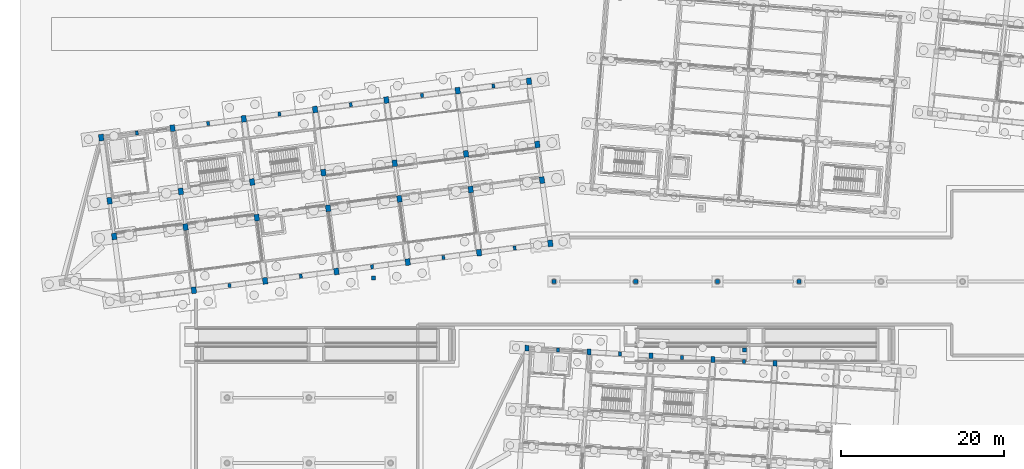
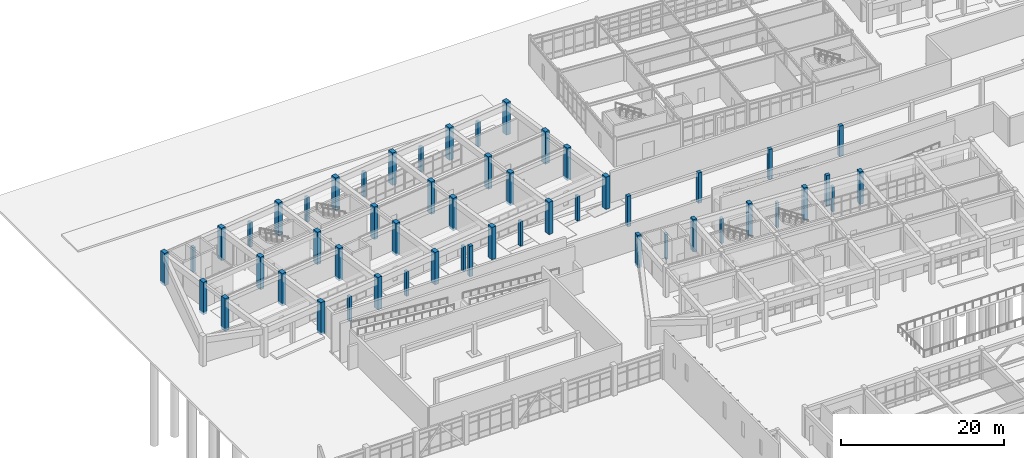
# One storey, part 8 of 154: 53 columns.
"""IFC4 building model written with IfcOpenShell, lengths in metres."""

import ifcopenshell
import ifcopenshell.guid

model = None  # the IFC model being written
_history = None  # IfcOwnerHistory: only IFC2X3 demands one
_inside = {}  # id of a spatial element -> (the spatial element, [elements in it])
_under = {}  # id of a project, library or spatial element -> (it, [spatial elements below it])
_declared = {}  # id of a project -> (the project, [libraries it declares])
_typed = {}  # id of a type object -> (the type object, [elements of that type])
_made_of = {}  # id of a material, layer set ... -> (it, [elements and type objects made of it])


def new_model(schema):
    """Start an empty IFC model of exactly this schema.

    Asked for "IFC4X3", IfcOpenShell would pick the latest addendum, in which some entities
    have other attributes; the version numbers below select the first issue.
    IFC2X3 requires an IfcOwnerHistory on every rooted entity: one is made here for all.
    """
    global model, _history
    if schema == "IFC4X3":
        model = ifcopenshell.file(schema_version=(4, 3, 0, 0))
    else:
        model = ifcopenshell.file(schema=schema)
    _inside.clear()
    _under.clear()
    _declared.clear()
    _typed.clear()
    _made_of.clear()
    _history = None
    if model.schema == "IFC2X3":
        org = make("IfcOrganization", Name="unknown")
        user = make(
            "IfcPersonAndOrganization",
            ThePerson=make("IfcPerson", FamilyName="unknown"),
            TheOrganization=org,
        )
        app = make(
            "IfcApplication",
            ApplicationDeveloper=org,
            Version="unknown",
            ApplicationFullName="unknown",
            ApplicationIdentifier="unknown",
        )
        _history = make(
            "IfcOwnerHistory",
            OwningUser=user,
            OwningApplication=app,
            ChangeAction="ADDED",
            CreationDate=0,
        )
    return model


def make(cls, **values):
    """One entity of the class cls with the attributes given. An attribute that is None is left unset."""
    return model.create_entity(
        cls, **{name: value for name, value in values.items() if value is not None}
    )


def rooted(cls, **values):
    """An entity with a GlobalId (a new one), such as an element, a storey or a relation."""
    return make(cls, GlobalId=ifcopenshell.guid.new(), OwnerHistory=_history, **values)


def si_unit(unit_type, name, prefix=None):
    """IfcSIUnit, for example si_unit("LENGTHUNIT", "METRE", prefix="MILLI")."""
    return make("IfcSIUnit", UnitType=unit_type, Prefix=prefix, Name=name)


def assignment(units):
    """IfcUnitAssignment: the units of a project."""
    return None if units is None else make("IfcUnitAssignment", Units=units)


def point(xyz):
    """IfcCartesianPoint."""
    return None if xyz is None else make("IfcCartesianPoint", Coordinates=xyz)


def direction(xyz):
    """IfcDirection."""
    return None if xyz is None else make("IfcDirection", DirectionRatios=xyz)


def frame(location, z_axis=None, x_axis=None):
    """IfcAxis2Placement3D, a coordinate frame: its origin and axes. An axis left out is left unset."""
    return make(
        "IfcAxis2Placement3D",
        Location=point(location),
        Axis=direction(z_axis),
        RefDirection=direction(x_axis),
    )


def frame_2d(location, x_axis=None):
    """IfcAxis2Placement2D, a coordinate frame in the plane: its origin and x axis."""
    return make(
        "IfcAxis2Placement2D", Location=point(location), RefDirection=direction(x_axis)
    )


def origin():
    """The frame at (0, 0, 0) with its axes left unset."""
    return frame((0.0, 0.0, 0.0))


def origin_2d():
    """The frame at (0, 0) in the plane with its x axis left unset."""
    return frame_2d((0.0, 0.0))


def place(relative_to, where):
    """IfcLocalPlacement: puts the frame where relative to a parent placement (None: the world)."""
    return make(
        "IfcLocalPlacement", PlacementRelTo=relative_to, RelativePlacement=where
    )


def context(
    kind, dimensions, precision=None, world=None, true_north=None, identifier=None
):
    """IfcGeometricRepresentationContext, for example the 3D "Model" context."""
    return make(
        "IfcGeometricRepresentationContext",
        ContextIdentifier=identifier,
        ContextType=kind,
        CoordinateSpaceDimension=dimensions,
        Precision=precision,
        WorldCoordinateSystem=world,
        TrueNorth=true_north,
    )


def subcontext(parent, identifier, kind, view, scale=None):
    """IfcGeometricRepresentationSubContext, for example "Body" below "Model"."""
    return make(
        "IfcGeometricRepresentationSubContext",
        ContextIdentifier=identifier,
        ContextType=kind,
        ParentContext=parent,
        TargetScale=scale,
        TargetView=view,
    )


def project(units=None, contexts=None):
    """IfcProject with its units and contexts."""
    return rooted(
        "IfcProject",
        Name="project",
        RepresentationContexts=contexts,
        UnitsInContext=assignment(units),
    )


def spatial(cls, under=None, at=None, **own):
    """A site, building, storey or space (cls), placed at a placement, below another one or the project."""
    s = rooted(cls, ObjectPlacement=at, **own)
    if under is not None:
        _under.setdefault(under.id(), (under, []))[1].append(s)
    return s


def profile(cls, at=None, kind="AREA", **sizes):
    """A parametric profile (cls). Its sizes go by their IFC names, for example OverallWidth=200.0."""
    return make(cls, ProfileType=kind, Position=at, **sizes)


def rectangle(**sizes):
    """IfcRectangleProfileDef."""
    return profile("IfcRectangleProfileDef", **sizes)


def extrude(swept, where, along, depth):
    """IfcExtrudedAreaSolid: the profile swept, set in the frame where, extruded along a direction by depth."""
    return make(
        "IfcExtrudedAreaSolid",
        SweptArea=swept,
        Position=where,
        ExtrudedDirection=direction(along),
        Depth=depth,
    )


def shape(context_of_items, identifier, shape_type, items):
    """IfcShapeRepresentation: the items that make up one representation, for example the "Body"."""
    return make(
        "IfcShapeRepresentation",
        ContextOfItems=context_of_items,
        RepresentationIdentifier=identifier,
        RepresentationType=shape_type,
        Items=items,
    )


def material(Name=None, Category=None):
    """IfcMaterial."""
    return make("IfcMaterial", Name=Name, Category=Category)


def material_profile(
    of_material, cross_section, Name=None, Category=None, Priority=None
):
    """IfcMaterialProfile: a cross section and its material."""
    return make(
        "IfcMaterialProfile",
        Name=Name,
        Material=of_material,
        Profile=cross_section,
        Priority=Priority,
        Category=Category,
    )


def profile_set(profiles, Name=None, composite=None):
    """IfcMaterialProfileSet."""
    return make(
        "IfcMaterialProfileSet",
        Name=Name,
        MaterialProfiles=profiles,
        CompositeProfile=composite,
    )


def made_of(thing, what):
    """Note that an element or type object is made of a material, layer set ...; save() writes the relation."""
    if what is not None:
        _made_of.setdefault(what.id(), (what, []))[1].append(thing)
    return thing


def type_object(cls, material=None, **own):
    """A type object (cls), such as IfcWallType, which elements share."""
    return made_of(rooted(cls, **own), material)


def element(
    cls,
    number,
    at=None,
    inside=None,
    cuts=None,
    type_object=None,
    material=None,
    context=None,
    identifier="Body",
    shape_type=None,
    held_by="IfcProductDefinitionShape",
    body=None,
    shapes=None,
    **own,
):
    """One element of the class cls, such as IfcWall. Its Tag is "e" and its number.

    at: its placement. inside: the storey or other place that contains it. cuts: it is an
    opening in that element (IfcRelVoidsElement). A single representation is given by context,
    identifier, shape_type and body (its items); several are given by shapes. held_by: the class
    of the entity that holds the representations. save() writes the other relations.
    """
    e = rooted(cls, Tag="e%d" % number, ObjectPlacement=at, **own)
    if body is not None:
        shapes = [shape(context, identifier, shape_type, body)]
    if shapes is not None:
        e.Representation = make(held_by, Representations=shapes)
    if inside is not None:
        _inside.setdefault(inside.id(), (inside, []))[1].append(e)
    if cuts is not None:
        rooted(
            "IfcRelVoidsElement", RelatingBuildingElement=cuts, RelatedOpeningElement=e
        )
    if type_object is not None:
        _typed.setdefault(type_object.id(), (type_object, []))[1].append(e)
    return made_of(e, material)


def aggregate(whole, parts):
    """IfcRelAggregates: a whole, such as a stair, and the parts it consists of."""
    return rooted("IfcRelAggregates", RelatingObject=whole, RelatedObjects=parts)


def save(model, path):
    """Write the relations noted so far, then the file.

    IfcRelAggregates (storeys below a building ...), IfcRelContainedInSpatialStructure (elements
    in a storey), IfcRelDefinesByType, IfcRelAssociatesMaterial and IfcRelDeclares: one each for
    every whole, place, type object, material and project.
    """
    for whole, parts in _under.values():
        aggregate(whole, parts)
    for where, things in _inside.values():
        rooted(
            "IfcRelContainedInSpatialStructure",
            RelatedElements=things,
            RelatingStructure=where,
        )
    for kind, things in _typed.values():
        rooted("IfcRelDefinesByType", RelatedObjects=things, RelatingType=kind)
    for what, things in _made_of.values():
        rooted("IfcRelAssociatesMaterial", RelatedObjects=things, RelatingMaterial=what)
    for by, libraries in _declared.values():
        rooted("IfcRelDeclares", RelatingContext=by, RelatedDefinitions=libraries)
    model.write(path)


model = new_model("IFC4")

# Units and contexts
model_context = context("Model", 3, precision=1e-05, world=origin(), true_north=direction((0.0, 1.0)))
body_context = subcontext(model_context, "Body", "Model", "MODEL_VIEW")
ifc_project = project(units=[si_unit("LENGTHUNIT", "METRE"), si_unit("AREAUNIT", "SQUARE_METRE"), si_unit("VOLUMEUNIT", "CUBIC_METRE"), si_unit("PLANEANGLEUNIT", "RADIAN"), si_unit("MASSUNIT", "GRAM", prefix="KILO")], contexts=[model_context])

# Site, building, storey
site_placement = place(None, origin())
site = spatial("IfcSite", under=ifc_project, at=site_placement, CompositionType="ELEMENT")
building_placement = place(site_placement, origin())
building = spatial("IfcBuilding", under=site, at=building_placement, Name="Kestramere Prow Commons", CompositionType="ELEMENT")
storey_placement = place(building_placement, origin())
storey = spatial("IfcBuildingStorey", under=building, at=storey_placement, Name="L00", CompositionType="ELEMENT", Elevation=0.0)

# Columns
ifc_material = material(Name="Precast concrete C40/50", Category="concrete")
ifc_material_profile_1 = material_profile(ifc_material, rectangle(XDim=0.60009765625, YDim=0.800048828125, at=origin_2d()), Name="PC-COL 600x800")
ifc_profile_set_1 = profile_set([ifc_material_profile_1], Name="Precast concrete C40/50")
column_type_1 = type_object("IfcColumnType", Name="C-A1 PC-COL 600x800", PredefinedType="COLUMN", material=ifc_profile_set_1)
for number, where, z_axis, x_axis, name in (
    (1, (18.906494140625, 80.8818359375, -0.35009765625), (0.0, 0.0, 1.0), (0.991444861374, 0.13052619222, 0.0), "Block A L00 Column 2-2"),
    (2, (18.332275390625, 85.244140625, -0.35009765625), (0.0, 0.0, 1.0), (0.991444861374, 0.13052619222, 0.0), "Block A L00 Column 2-3"),
    (3, (27.63134765625, 82.030517578125, -0.35009765625), (0.0, 0.0, 1.0), (0.991444861374, 0.13052619222, 0.0), "Block A L00 Column 3-2"),
    (4, (27.05712890625, 86.392822265625, -0.35009765625), (0.0, 0.0, 1.0), (0.991444861374, 0.13052619222, 0.0), "Block A L00 Column 3-3"),
    (5, (36.35595703125, 83.17919921875, -0.35009765625), (0.0, 0.0, 1.0), (0.991444861374, 0.13052619222, 0.0), "Block A L00 Column 4-2"),
    (6, (35.78173828125, 87.54150390625, -0.35009765625), (0.0, 0.0, 1.0), (0.991444861374, 0.13052619222, 0.0), "Block A L00 Column 4-3"),
    (7, (45.080810546875, 84.327880859375, -0.35009765625), (0.0, 0.0, 1.0), (0.991444861374, 0.13052619222, 0.0), "Block A L00 Column 5-2"),
    (8, (44.50634765625, 88.690185546875, -0.35009765625), (0.0, 0.0, 1.0), (0.991444861374, 0.13052619222, 0.0), "Block A L00 Column 5-3"),
    (9, (53.805419921875, 85.476318359375, -0.35009765625), (0.0, 0.0, 1.0), (0.991444861374, 0.13052619222, 0.0), "Block A L00 Column 6-2"),
    (10, (53.231201171875, 89.8388671875, -0.35009765625), (0.0, 0.0, 1.0), (0.991444861374, 0.13052619222, 0.0), "Block A L00 Column 6-3"),
):
    element("IfcColumn", number, at=place(storey_placement, frame(where, z_axis=z_axis, x_axis=x_axis)), inside=storey, type_object=column_type_1, Name=name, PredefinedType="COLUMN", context=body_context, shape_type="SweptSolid", body=[
        extrude(rectangle(XDim=0.60009765625, YDim=0.800048828125, at=origin_2d()), origin(), (0.0, 0.0, 1.0), 4.85009765625),
    ])
ifc_material_profile_2 = material_profile(ifc_material, rectangle(XDim=0.60009765625, YDim=0.800048828125, at=origin_2d()), Name="PC-COL 600x800")
ifc_profile_set_2 = profile_set([ifc_material_profile_2], Name="Precast concrete C40/50")
column_type_2 = type_object("IfcColumnType", Name="C-A1 PC-COL 600x800 (EX)", PredefinedType="COLUMN", material=ifc_profile_set_2)
for number, where, z_axis, x_axis, name in (
    (11, (10.181884765625, 79.733154296875, -0.35009765625), (0.0, 0.0, 1.0), (0.991444861374, 0.13052619222, 0.0), "Block A L00 Column 1-2"),
    (12, (9.607666015625, 84.095703125, -0.35009765625), (0.0, 0.0, 1.0), (0.991444861374, 0.13052619222, 0.0), "Block A L00 Column 1-3"),
    (13, (8.58935546875, 91.828857421875, -0.35009765625), (0.0, 0.0, 1.0), (0.991444861374, 0.13052619222, 0.0), "Block A L00 Column 1-4"),
    (14, (19.9248046875, 73.148681640625, -0.35009765625), (0.0, 0.0, 1.0), (0.991444861374, 0.13052619222, 0.0), "Block A L00 Column 2-1"),
    (15, (17.314208984375, 92.9775390625, -0.35009765625), (0.0, 0.0, 1.0), (0.991444861374, 0.13052619222, 0.0), "Block A L00 Column 2-4"),
    (16, (28.6494140625, 74.29736328125, -0.35009765625), (0.0, 0.0, 1.0), (0.991444861374, 0.13052619222, 0.0), "Block A L00 Column 3-1"),
    (17, (26.038818359375, 94.126220703125, -0.35009765625), (0.0, 0.0, 1.0), (0.991444861374, 0.13052619222, 0.0), "Block A L00 Column 3-4"),
    (18, (37.3740234375, 75.44580078125, -0.35009765625), (0.0, 0.0, 1.0), (0.991444861374, 0.13052619222, 0.0), "Block A L00 Column 4-1"),
    (19, (34.763671875, 95.27490234375, -0.35009765625), (0.0, 0.0, 1.0), (0.991444861374, 0.13052619222, 0.0), "Block A L00 Column 4-4"),
    (20, (46.098876953125, 76.594482421875, -0.35009765625), (0.0, 0.0, 1.0), (0.991444861374, 0.13052619222, 0.0), "Block A L00 Column 5-1"),
    (21, (43.48828125, 96.42333984375, -0.35009765625), (0.0, 0.0, 1.0), (0.991444861374, 0.13052619222, 0.0), "Block A L00 Column 5-4"),
    (22, (54.823486328125, 77.7431640625, -0.35009765625), (0.0, 0.0, 1.0), (0.991444861374, 0.13052619222, 0.0), "Block A L00 Column 6-1"),
    (23, (52.213134765625, 97.572021484375, -0.35009765625), (0.0, 0.0, 1.0), (0.991444861374, 0.13052619222, 0.0), "Block A L00 Column 6-4"),
    (24, (63.54833984375, 78.891845703125, -0.35009765625), (0.0, 0.0, 1.0), (0.991444861374, 0.13052619222, 0.0), "Block A L00 Column 7-1"),
    (25, (62.5302734375, 86.625, -0.35009765625), (0.0, 0.0, 1.0), (0.991444861374, 0.13052619222, 0.0), "Block A L00 Column 7-2"),
    (26, (61.955810546875, 90.9873046875, -0.35009765625), (0.0, 0.0, 1.0), (0.991444861374, 0.13052619222, 0.0), "Block A L00 Column 7-3"),
    (27, (60.937744140625, 98.720703125, -0.35009765625), (0.0, 0.0, 1.0), (0.991444861374, 0.13052619222, 0.0), "Block A L00 Column 7-4"),
):
    element("IfcColumn", number, at=place(storey_placement, frame(where, z_axis=z_axis, x_axis=x_axis)), inside=storey, type_object=column_type_2, Name=name, PredefinedType="COLUMN", context=body_context, shape_type="SweptSolid", body=[
        extrude(rectangle(XDim=0.60009765625, YDim=0.800048828125, at=origin_2d()), origin(), (0.0, 0.0, 1.0), 4.85009765625),
    ])
ifc_material_profile_3 = material_profile(ifc_material, rectangle(XDim=0.5, YDim=0.699951171875, at=origin_2d()), Name="PC-COL 500x700")
ifc_profile_set_3 = profile_set([ifc_material_profile_3], Name="Precast concrete C40/50")
column_type_3 = type_object("IfcColumnType", Name="C-C1 PC-COL 500x700 (EX)", PredefinedType="COLUMN", material=ifc_profile_set_3)
for number, where, z_axis, x_axis, name in (
    (28, (60.696533203125, 66.0634765625, -0.35009765625), (0.0, 0.0, 1.0), (0.998134798422, -0.061048539535, 0.0), "Block C L00 Column 1-4"),
    (29, (68.282470703125, 65.599365234375, -0.35009765625), (0.0, 0.0, 1.0), (0.998134798422, -0.061048539535, 0.0), "Block C L00 Column 2-4"),
    (30, (75.8681640625, 65.135498046875, -0.35009765625), (0.0, 0.0, 1.0), (0.998134798422, -0.061048539535, 0.0), "Block C L00 Column 3-4"),
    (31, (83.4541015625, 64.671630859375, -0.35009765625), (0.0, 0.0, 1.0), (0.998134798422, -0.061048539535, 0.0), "Block C L00 Column 4-4"),
    (32, (91.039794921875, 64.20751953125, -0.35009765625), (0.0, 0.0, 1.0), (0.998134798422, -0.061048539535, 0.0), "Block C L00 Column 5-4"),
):
    element("IfcColumn", number, at=place(storey_placement, frame(where, z_axis=z_axis, x_axis=x_axis)), inside=storey, type_object=column_type_3, Name=name, PredefinedType="COLUMN", context=body_context, shape_type="SweptSolid", body=[
        extrude(rectangle(XDim=0.5, YDim=0.699951171875, at=origin_2d()), origin(), (0.0, 0.0, 1.0), 4.85009765625),
    ])
ifc_material_profile_4 = material_profile(ifc_material, rectangle(XDim=0.5, YDim=0.5, at=origin_2d()), Name="PC-COL 500x500")
ifc_profile_set_4 = profile_set([ifc_material_profile_4], Name="Precast concrete C40/50")
column_type_4 = type_object("IfcColumnType", Name="C-CRT-01 PC-COL 500x500", PredefinedType="COLUMN", material=ifc_profile_set_4)
for number, where, z_axis, x_axis, name in (
    (33, (64.0, 74.199951171875, -0.35009765625), (0.0, 0.0, 1.0), (1.0, 0.0, 0.0), "Courtyard Support Column 64-74"),
    (34, (74.0, 74.199951171875, -0.35009765625), (0.0, 0.0, 1.0), (1.0, 0.0, 0.0), "Courtyard Support Column 74-74"),
    (35, (84.0, 74.199951171875, -0.35009765625), (0.0, 0.0, 1.0), (1.0, 0.0, 0.0), "Courtyard Support Column 84-74"),
    (36, (94.0, 74.199951171875, -0.35009765625), (0.0, 0.0, 1.0), (1.0, 0.0, 0.0), "Courtyard Support Column 94-74"),
):
    element("IfcColumn", number, at=place(storey_placement, frame(where, z_axis=z_axis, x_axis=x_axis)), inside=storey, type_object=column_type_4, Name=name, PredefinedType="COLUMN", context=body_context, shape_type="SweptSolid", body=[
        extrude(rectangle(XDim=0.5, YDim=0.5, at=origin_2d()), origin(), (0.0, 0.0, 1.0), 4.550048828125),
    ])
ifc_material_profile_5 = material_profile(ifc_material, rectangle(XDim=0.5, YDim=0.5, at=origin_2d()), Name="PC-COL 500x500")
ifc_profile_set_5 = profile_set([ifc_material_profile_5], Name="Precast concrete C40/50")
column_type_5 = type_object("IfcColumnType", Name="C-CRT-01 PC-COL 500x500 (EX)", PredefinedType="COLUMN", material=ifc_profile_set_5)
for number, where, z_axis, x_axis, name in (
    (37, (41.919189453125, 74.632080078125, -0.35009765625), (0.0, 0.0, 1.0), (1.0, 0.0, 0.0), "Courtyard Bridge Support Column A"),
    (38, (87.33251953125, 65.8369140625, -0.35009765625), (0.0, 0.0, 1.0), (1.0, 0.0, 0.0), "Courtyard Bridge Support Column C"),
):
    element("IfcColumn", number, at=place(storey_placement, frame(where, z_axis=z_axis, x_axis=x_axis)), inside=storey, type_object=column_type_5, Name=name, PredefinedType="COLUMN", context=body_context, shape_type="SweptSolid", body=[
        extrude(rectangle(XDim=0.5, YDim=0.5, at=origin_2d()), origin(), (0.0, 0.0, 1.0), 4.550048828125),
    ])
ifc_material_profile_6 = material_profile(ifc_material, rectangle(XDim=0.35009765625, YDim=0.5, at=origin_2d()), Name="PC-PIL 350x500")
ifc_profile_set_6 = profile_set([ifc_material_profile_6], Name="Precast concrete C40/50")
column_type_6 = type_object("IfcColumnType", Name="PIL-01 PC-PIL 350x500", PredefinedType="PILASTER", material=ifc_profile_set_6)
for number, where, z_axis, x_axis, name in (
    (39, (12.951904296875, 92.4033203125, -0.35009765625), (0.0, 0.0, 1.0), (0.991444861374, 0.13052619222, 0.0), "Block A L00 Colonnade Pilaster N1"),
    (40, (24.287109375, 73.722900390625, -0.35009765625), (0.0, 0.0, 1.0), (0.991444861374, 0.13052619222, 0.0), "Block A L00 Colonnade Pilaster S2"),
    (41, (21.676513671875, 93.5517578125, -0.35009765625), (0.0, 0.0, 1.0), (0.991444861374, 0.13052619222, 0.0), "Block A L00 Colonnade Pilaster N2"),
    (42, (33.01171875, 74.87158203125, -0.35009765625), (0.0, 0.0, 1.0), (0.991444861374, 0.13052619222, 0.0), "Block A L00 Colonnade Pilaster S3"),
    (43, (30.4013671875, 94.700439453125, -0.35009765625), (0.0, 0.0, 1.0), (0.991444861374, 0.13052619222, 0.0), "Block A L00 Colonnade Pilaster N3"),
    (44, (41.736572265625, 76.020263671875, -0.35009765625), (0.0, 0.0, 1.0), (0.991444861374, 0.13052619222, 0.0), "Block A L00 Colonnade Pilaster S4"),
    (45, (39.1259765625, 95.84912109375, -0.35009765625), (0.0, 0.0, 1.0), (0.991444861374, 0.13052619222, 0.0), "Block A L00 Colonnade Pilaster N4"),
    (46, (50.461181640625, 77.1689453125, -0.35009765625), (0.0, 0.0, 1.0), (0.991444861374, 0.13052619222, 0.0), "Block A L00 Colonnade Pilaster S5"),
    (47, (47.8505859375, 96.997802734375, -0.35009765625), (0.0, 0.0, 1.0), (0.991444861374, 0.13052619222, 0.0), "Block A L00 Colonnade Pilaster N5"),
    (48, (59.18603515625, 78.3173828125, -0.35009765625), (0.0, 0.0, 1.0), (0.991444861374, 0.13052619222, 0.0), "Block A L00 Colonnade Pilaster S6"),
    (49, (56.575439453125, 98.146484375, -0.35009765625), (0.0, 0.0, 1.0), (0.991444861374, 0.13052619222, 0.0), "Block A L00 Colonnade Pilaster N6"),
    (50, (64.489501953125, 65.83154296875, -0.35009765625), (0.0, 0.0, 1.0), (0.998134798422, -0.061048539535, 0.0), "Block C L00 Colonnade Pilaster N1"),
    (51, (72.0751953125, 65.367431640625, -0.35009765625), (0.0, 0.0, 1.0), (0.998134798422, -0.061048539535, 0.0), "Block C L00 Colonnade Pilaster N2"),
    (52, (79.6611328125, 64.903564453125, -0.35009765625), (0.0, 0.0, 1.0), (0.998134798422, -0.061048539535, 0.0), "Block C L00 Colonnade Pilaster N3"),
    (53, (87.246826171875, 64.439453125, -0.35009765625), (0.0, 0.0, 1.0), (0.998134798422, -0.061048539535, 0.0), "Block C L00 Colonnade Pilaster N4"),
):
    element("IfcColumn", number, at=place(storey_placement, frame(where, z_axis=z_axis, x_axis=x_axis)), inside=storey, type_object=column_type_6, Name=name, PredefinedType="PILASTER", context=body_context, shape_type="SweptSolid", body=[
        extrude(rectangle(XDim=0.35009765625, YDim=0.5, at=origin_2d()), origin(), (0.0, 0.0, 1.0), 3.7001953125),
    ])

save(model, "model.ifc")
